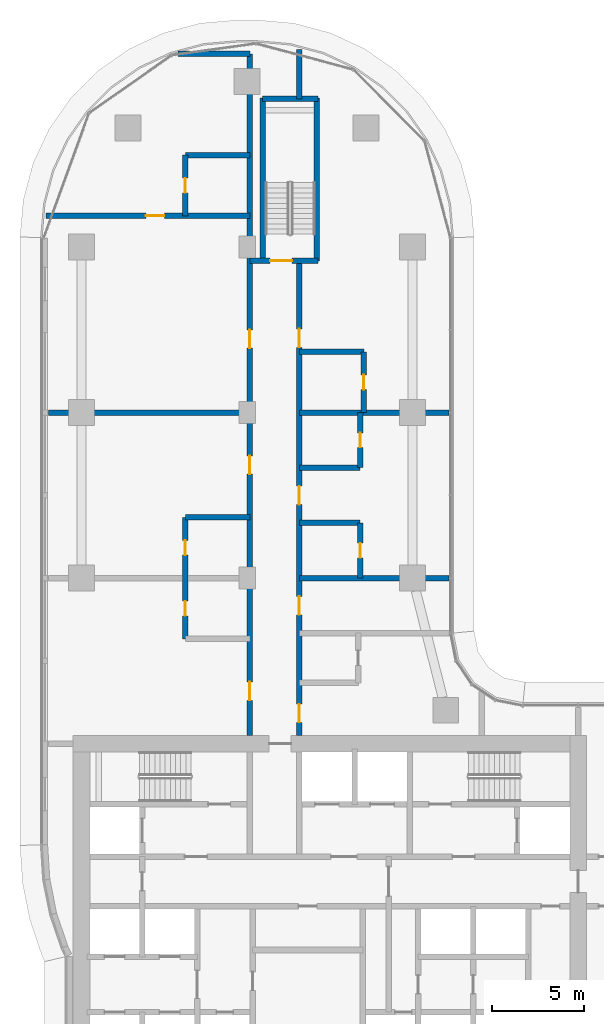
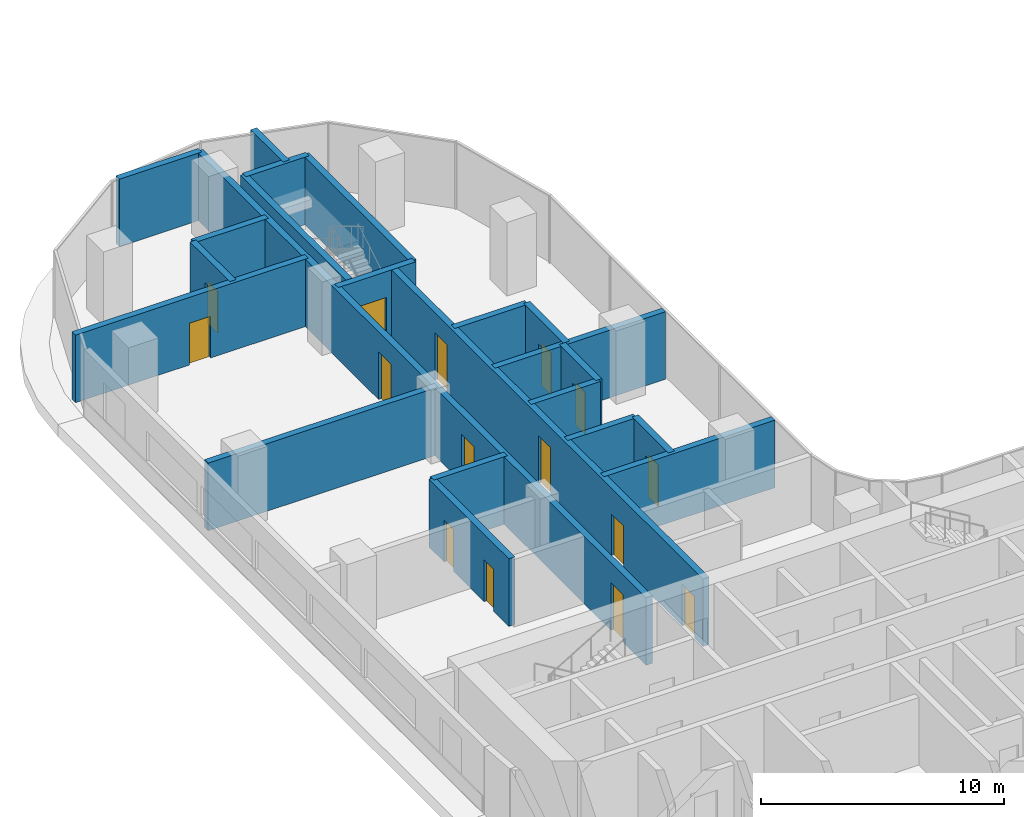
# One storey, part 21 of 36: 22 walls, 15 doors, 15 openings.
"""IFC4 building model written with IfcOpenShell, lengths in metres."""

from ifc_helpers import new_model, si_unit, direction, frame, frame_2d, origin, place, context, subcontext, project, spatial, rectangle, extrude, material, layer, layer_set, type_object, element, fill, save


model = new_model("IFC4")

# Units and contexts
model_context = context("Model", 3, precision=1e-05, world=origin(), true_north=direction((0.0, 1.0)))
body_context = subcontext(model_context, "Body", "Model", "MODEL_VIEW")
ifc_project = project(units=[si_unit("LENGTHUNIT", "METRE"), si_unit("AREAUNIT", "SQUARE_METRE"), si_unit("VOLUMEUNIT", "CUBIC_METRE"), si_unit("PLANEANGLEUNIT", "RADIAN"), si_unit("MASSUNIT", "GRAM", prefix="KILO")], contexts=[model_context])

# Site, building, storey
site_placement = place(None, origin())
site = spatial("IfcSite", under=ifc_project, at=site_placement, CompositionType="ELEMENT")
building_placement = place(site_placement, origin())
building = spatial("IfcBuilding", under=site, at=building_placement, Name="Ogive Portal Towers", CompositionType="ELEMENT")
storey_placement = place(building_placement, frame((0.0, 0.0, 52.0)))
storey = spatial("IfcBuildingStorey", under=building, at=storey_placement, Name="L11", CompositionType="ELEMENT", Elevation=52.0)

# Wall, opening, door
ifc_material_1 = material(Name="Concrete C50/60", Category="concrete")
ifc_layer_1 = layer(ifc_material_1, 0.300048828125)
ifc_layer_set_1 = layer_set([ifc_layer_1], Name="STAIR WALL 300 C50")
wall_type_1 = type_object("IfcWallType", Name="STAIR WALL 300 C50", PredefinedType="SHEAR", material=ifc_layer_set_1)
wall_1_placement = place(storey_placement, frame((40.64990234375, 65.75, 0.0), z_axis=(0.0, 0.0, 1.0), x_axis=(1.0, 0.0, 0.0)))
wall_1 = element("IfcWall", 1, at=wall_1_placement, inside=storey, type_object=wall_type_1, Name="Stair wall ST-A3 L11", PredefinedType="SHEAR", context=body_context, shape_type="SweptSolid", body=[
    extrude(rectangle(XDim=3.7001953125, YDim=0.300048828125, at=frame_2d((1.85009765625, 0.0))), origin(), (0.0, 0.0, 1.0), 3.39990234375),
])
opening_1_placement = place(wall_1_placement, frame((1.10009765625, 0.0, 0.0)))
opening_1 = element("IfcOpeningElement", 2, at=opening_1_placement, cuts=wall_1, Name="Opening D03-062", PredefinedType="OPENING", context=body_context, shape_type="SweptSolid", body=[
    extrude(rectangle(XDim=1.199951171875, YDim=2.10009765625, at=frame_2d((0.60009765625, 1.050048828125))), frame((0.0, 0.16015625, 0.0), z_axis=(0.0, -1.0, 0.0), x_axis=(1.0, 0.0, 0.0)), (0.0, 0.0, 1.0), 0.320068359375),
])
ifc_material_2 = material(Name="Steel fire door", Category="steel")
door_type_1 = type_object("IfcDoorType", Name="DT-STAIR-1200x2100-FD90S", OperationType="SINGLE_SWING_LEFT", PredefinedType="DOOR", material=ifc_material_2)
door_1_placement = place(opening_1_placement, origin())
door_1 = element("IfcDoor", 3, at=door_1_placement, inside=storey, type_object=door_type_1, Name="Door D03-062", OperationType="SINGLE_SWING_RIGHT", OverallHeight=2.10009765625, OverallWidth=1.199951171875, PredefinedType="DOOR", context=body_context, shape_type="SweptSolid", body=[
    extrude(rectangle(XDim=1.199951171875, YDim=2.10009765625, at=frame_2d((0.60009765625, 1.050048828125))), frame((0.0, 0.02490234375, 0.0), z_axis=(0.0, -1.0, 0.0), x_axis=(1.0, 0.0, 0.0)), (0.0, 0.0, 1.0), 0.050048828125),
])
fill(opening_1, door_1)

# Walls
wall_2_placement = place(storey_placement, frame((41.35009765625, 74.550048828125, 0.0), z_axis=(0.0, 0.0, 1.0), x_axis=(1.0, 0.0, 0.0)))
element("IfcWall", 4, at=wall_2_placement, inside=storey, type_object=wall_type_1, Name="Stair wall ST-A3 L11", PredefinedType="SHEAR", context=body_context, shape_type="SweptSolid", body=[
    extrude(rectangle(XDim=3.0, YDim=0.300048828125, at=frame_2d((1.5, 0.0))), origin(), (0.0, 0.0, 1.0), 3.39990234375),
])
for number, where, z_axis, x_axis, name in (
    (5, (41.35009765625, 65.75, 0.0), (0.0, 0.0, 1.0), (0.0, 1.0, 0.0), "Stair wall ST-A3 L11"),
    (6, (44.300048828125, 65.75, 0.0), (0.0, 0.0, 1.0), (0.0, 1.0, 0.0), "Stair wall ST-A3 L11"),
):
    element("IfcWall", number, at=place(storey_placement, frame(where, z_axis=z_axis, x_axis=x_axis)), inside=storey, type_object=wall_type_1, Name=name, PredefinedType="SHEAR", context=body_context, shape_type="SweptSolid", body=[
        extrude(rectangle(XDim=8.85009765625, YDim=0.300048828125, at=frame_2d((4.425048828125, 0.0))), origin(), (0.0, 0.0, 1.0), 3.39990234375),
    ])
ifc_material_3 = material(Name="Gypsum board partition on steel studs", Category="steel")
ifc_layer_2 = layer(ifc_material_3, 0.300048828125)
ifc_layer_set_2 = layer_set([ifc_layer_2], Name="WT-PART-300-EI 60")
wall_type_2 = type_object("IfcWallType", Name="WT-PART-300-EI 60", PredefinedType="PARTITIONING", material=ifc_layer_set_2)
wall_3_placement = place(storey_placement, frame((43.35009765625, 48.5, 0.0), z_axis=(0.0, 0.0, 1.0), x_axis=(1.0, 0.0, 0.0)))
element("IfcWall", 7, at=wall_3_placement, inside=storey, type_object=wall_type_2, Name="Wall L11:w019", PredefinedType="PARTITIONING", context=body_context, shape_type="SweptSolid", body=[
    extrude(rectangle(XDim=8.125, YDim=0.300048828125, at=frame_2d((4.0625, 0.0))), origin(), (0.0, 0.0, 1.0), 3.39990234375),
])
wall_4_placement = place(storey_placement, frame((43.35009765625, 51.5, 0.0), z_axis=(0.0, 0.0, 1.0), x_axis=(1.0, 0.0, 0.0)))
element("IfcWall", 8, at=wall_4_placement, inside=storey, type_object=wall_type_2, Name="Wall L11:w020", PredefinedType="PARTITIONING", context=body_context, shape_type="SweptSolid", body=[
    extrude(rectangle(XDim=3.2998046875, YDim=0.300048828125, at=frame_2d((1.64990234375, 0.0))), origin(), (0.0, 0.0, 1.0), 3.39990234375),
])
wall_5_placement = place(storey_placement, frame((37.14990234375, 51.800048828125, 0.0), z_axis=(0.0, 0.0, 1.0), x_axis=(1.0, 0.0, 0.0)))
element("IfcWall", 9, at=wall_5_placement, inside=storey, type_object=wall_type_2, Name="Wall L11:w021", PredefinedType="PARTITIONING", context=body_context, shape_type="SweptSolid", body=[
    extrude(rectangle(XDim=3.5, YDim=0.300048828125, at=frame_2d((1.75, 0.0))), origin(), (0.0, 0.0, 1.0), 3.39990234375),
])
wall_6_placement = place(storey_placement, frame((43.35009765625, 54.5, 0.0), z_axis=(0.0, 0.0, 1.0), x_axis=(1.0, 0.0, 0.0)))
element("IfcWall", 10, at=wall_6_placement, inside=storey, type_object=wall_type_2, Name="Wall L11:w022", PredefinedType="PARTITIONING", context=body_context, shape_type="SweptSolid", body=[
    extrude(rectangle(XDim=3.2998046875, YDim=0.300048828125, at=frame_2d((1.64990234375, 0.0))), origin(), (0.0, 0.0, 1.0), 3.39990234375),
])
wall_7_placement = place(storey_placement, frame((29.705078125, 57.5, 0.0), z_axis=(0.0, 0.0, 1.0), x_axis=(1.0, 0.0, 0.0)))
element("IfcWall", 11, at=wall_7_placement, inside=storey, type_object=wall_type_2, Name="Wall L11:w023", PredefinedType="PARTITIONING", context=body_context, shape_type="SweptSolid", body=[
    extrude(rectangle(XDim=10.94482421875, YDim=0.300048828125, at=frame_2d((5.472412109375, 0.0))), origin(), (0.0, 0.0, 1.0), 3.39990234375),
])
wall_8_placement = place(storey_placement, frame((43.35009765625, 57.5, 0.0), z_axis=(0.0, 0.0, 1.0), x_axis=(1.0, 0.0, 0.0)))
element("IfcWall", 12, at=wall_8_placement, inside=storey, type_object=wall_type_2, Name="Wall L11:w024", PredefinedType="PARTITIONING", context=body_context, shape_type="SweptSolid", body=[
    extrude(rectangle(XDim=8.125, YDim=0.300048828125, at=frame_2d((4.0625, 0.0))), origin(), (0.0, 0.0, 1.0), 3.39990234375),
])
wall_9_placement = place(storey_placement, frame((43.35009765625, 60.800048828125, 0.0), z_axis=(0.0, 0.0, 1.0), x_axis=(1.0, 0.0, 0.0)))
element("IfcWall", 13, at=wall_9_placement, inside=storey, type_object=wall_type_2, Name="Wall L11:w025", PredefinedType="PARTITIONING", context=body_context, shape_type="SweptSolid", body=[
    extrude(rectangle(XDim=3.5, YDim=0.300048828125, at=frame_2d((1.75, 0.0))), origin(), (0.0, 0.0, 1.0), 3.39990234375),
])

# Wall, opening, door
wall_10_placement = place(storey_placement, frame((29.570068359375, 68.199951171875, 0.0), z_axis=(0.0, 0.0, 1.0), x_axis=(1.0, 0.0, 0.0)))
wall_10 = element("IfcWall", 14, at=wall_10_placement, inside=storey, type_object=wall_type_2, Name="Wall L11:w027", PredefinedType="PARTITIONING", context=body_context, shape_type="SweptSolid", body=[
    extrude(rectangle(XDim=11.079833984375, YDim=0.300048828125, at=frame_2d((5.5400390625, 0.0))), origin(), (0.0, 0.0, 1.0), 3.39990234375),
])
opening_2_placement = place(wall_10_placement, frame((5.429931640625, 0.0, 0.0)))
opening_2 = element("IfcOpeningElement", 15, at=opening_2_placement, cuts=wall_10, Name="Opening D03-056", PredefinedType="OPENING", context=body_context, shape_type="SweptSolid", body=[
    extrude(rectangle(XDim=1.0, YDim=2.10009765625, at=frame_2d((0.5, 1.050048828125))), frame((0.0, 0.16015625, 0.0), z_axis=(0.0, -1.0, 0.0), x_axis=(1.0, 0.0, 0.0)), (0.0, 0.0, 1.0), 0.320068359375),
])
door_type_2 = type_object("IfcDoorType", Name="DT-ENTRY-1000x2100-FD60S", OperationType="SINGLE_SWING_LEFT", PredefinedType="DOOR", material=ifc_material_2)
door_2_placement = place(opening_2_placement, origin())
door_2 = element("IfcDoor", 16, at=door_2_placement, inside=storey, type_object=door_type_2, Name="Door D03-056", OperationType="SINGLE_SWING_LEFT", OverallHeight=2.10009765625, OverallWidth=1.0, PredefinedType="DOOR", context=body_context, shape_type="SweptSolid", body=[
    extrude(rectangle(XDim=1.0, YDim=2.10009765625, at=frame_2d((0.5, 1.050048828125))), frame((0.0, 0.02490234375, 0.0), z_axis=(0.0, -1.0, 0.0), x_axis=(1.0, 0.0, 0.0)), (0.0, 0.0, 1.0), 0.050048828125),
])
fill(opening_2, door_2)

# Walls
wall_11_placement = place(storey_placement, frame((37.14990234375, 71.5, 0.0), z_axis=(0.0, 0.0, 1.0), x_axis=(1.0, 0.0, 0.0)))
element("IfcWall", 17, at=wall_11_placement, inside=storey, type_object=wall_type_2, Name="Wall L11:w028", PredefinedType="PARTITIONING", context=body_context, shape_type="SweptSolid", body=[
    extrude(rectangle(XDim=3.5, YDim=0.300048828125, at=frame_2d((1.75, 0.0))), origin(), (0.0, 0.0, 1.0), 3.39990234375),
])
wall_12_placement = place(storey_placement, frame((36.743896484375, 77.0, 0.0), z_axis=(0.0, 0.0, 1.0), x_axis=(1.0, 0.0, 0.0)))
element("IfcWall", 18, at=wall_12_placement, inside=storey, type_object=wall_type_2, Name="Wall L11:w030", PredefinedType="PARTITIONING", context=body_context, shape_type="SweptSolid", body=[
    extrude(rectangle(XDim=3.906005859375, YDim=0.300048828125, at=frame_2d((1.953125, 0.0))), origin(), (0.0, 0.0, 1.0), 3.39990234375),
])

# Wall, openings, doors
wall_13_placement = place(storey_placement, frame((37.14990234375, 45.199951171875, 0.0), z_axis=(0.0, 0.0, 1.0), x_axis=(0.0, 1.0, 0.0)))
wall_13 = element("IfcWall", 19, at=wall_13_placement, inside=storey, type_object=wall_type_2, Name="Wall L11:w031", PredefinedType="PARTITIONING", context=body_context, shape_type="SweptSolid", body=[
    extrude(rectangle(XDim=6.60009765625, YDim=0.300048828125, at=frame_2d((3.300048828125, 0.0))), origin(), (0.0, 0.0, 1.0), 3.39990234375),
])
opening_3_placement = place(wall_13_placement, frame((1.25, 0.0, 0.0)))
opening_3 = element("IfcOpeningElement", 20, at=opening_3_placement, cuts=wall_13, Name="Opening D03-046", PredefinedType="OPENING", context=body_context, shape_type="SweptSolid", body=[
    extrude(rectangle(XDim=0.800048828125, YDim=2.10009765625, at=frame_2d((0.39990234375, 1.050048828125))), frame((0.0, 0.16015625, 0.0), z_axis=(0.0, -1.0, 0.0), x_axis=(1.0, 0.0, 0.0)), (0.0, 0.0, 1.0), 0.320068359375),
])
opening_4_placement = place(wall_13_placement, frame((4.550048828125, 0.0, 0.0)))
opening_4 = element("IfcOpeningElement", 21, at=opening_4_placement, cuts=wall_13, Name="Opening D03-051", PredefinedType="OPENING", context=body_context, shape_type="SweptSolid", body=[
    extrude(rectangle(XDim=0.800048828125, YDim=2.10009765625, at=frame_2d((0.39990234375, 1.050048828125))), frame((0.0, 0.16015625, 0.0), z_axis=(0.0, -1.0, 0.0), x_axis=(1.0, 0.0, 0.0)), (0.0, 0.0, 1.0), 0.320068359375),
])
door_type_3 = type_object("IfcDoorType", Name="DT-BATH-800x2100-FD60S", OperationType="SINGLE_SWING_LEFT", PredefinedType="DOOR", material=ifc_material_2)
door_3_placement = place(opening_3_placement, origin())
door_3 = element("IfcDoor", 22, at=door_3_placement, inside=storey, type_object=door_type_3, Name="Door D03-046", OperationType="SINGLE_SWING_LEFT", OverallHeight=2.10009765625, OverallWidth=0.800048828125, PredefinedType="DOOR", context=body_context, shape_type="SweptSolid", body=[
    extrude(rectangle(XDim=0.800048828125, YDim=2.10009765625, at=frame_2d((0.39990234375, 1.050048828125))), frame((0.0, 0.02490234375, 0.0), z_axis=(0.0, -1.0, 0.0), x_axis=(1.0, 0.0, 0.0)), (0.0, 0.0, 1.0), 0.050048828125),
])
fill(opening_3, door_3)
door_4_placement = place(opening_4_placement, origin())
door_4 = element("IfcDoor", 23, at=door_4_placement, inside=storey, type_object=door_type_3, Name="Door D03-051", OperationType="SINGLE_SWING_RIGHT", OverallHeight=2.10009765625, OverallWidth=0.800048828125, PredefinedType="DOOR", context=body_context, shape_type="SweptSolid", body=[
    extrude(rectangle(XDim=0.800048828125, YDim=2.10009765625, at=frame_2d((0.39990234375, 1.050048828125))), frame((0.0, 0.02490234375, 0.0), z_axis=(0.0, -1.0, 0.0), x_axis=(1.0, 0.0, 0.0)), (0.0, 0.0, 1.0), 0.050048828125),
])
fill(opening_4, door_4)

# Wall, opening, door
wall_14_placement = place(storey_placement, frame((37.14990234375, 68.199951171875, 0.0), z_axis=(0.0, 0.0, 1.0), x_axis=(0.0, 1.0, 0.0)))
wall_14 = element("IfcWall", 24, at=wall_14_placement, inside=storey, type_object=wall_type_2, Name="Wall L11:w032", PredefinedType="PARTITIONING", context=body_context, shape_type="SweptSolid", body=[
    extrude(rectangle(XDim=3.300048828125, YDim=0.300048828125, at=frame_2d((1.64990234375, 0.0))), origin(), (0.0, 0.0, 1.0), 3.39990234375),
])
opening_5_placement = place(wall_14_placement, frame((1.25, 0.0, 0.0)))
opening_5 = element("IfcOpeningElement", 25, at=opening_5_placement, cuts=wall_14, Name="Opening D03-057", PredefinedType="OPENING", context=body_context, shape_type="SweptSolid", body=[
    extrude(rectangle(XDim=0.800048828125, YDim=2.10009765625, at=frame_2d((0.39990234375, 1.050048828125))), frame((0.0, 0.16015625, 0.0), z_axis=(0.0, -1.0, 0.0), x_axis=(1.0, 0.0, 0.0)), (0.0, 0.0, 1.0), 0.320068359375),
])
door_5_placement = place(opening_5_placement, origin())
door_5 = element("IfcDoor", 26, at=door_5_placement, inside=storey, type_object=door_type_3, Name="Door D03-057", OperationType="SINGLE_SWING_LEFT", OverallHeight=2.10009765625, OverallWidth=0.800048828125, PredefinedType="DOOR", context=body_context, shape_type="SweptSolid", body=[
    extrude(rectangle(XDim=0.800048828125, YDim=2.10009765625, at=frame_2d((0.39990234375, 1.050048828125))), frame((0.0, 0.02490234375, 0.0), z_axis=(0.0, -1.0, 0.0), x_axis=(1.0, 0.0, 0.0)), (0.0, 0.0, 1.0), 0.050048828125),
])
fill(opening_5, door_5)

# Wall, openings, doors
wall_15_placement = place(storey_placement, frame((40.64990234375, 39.949951171875, 0.0), z_axis=(0.0, 0.0, 1.0), x_axis=(0.0, 1.0, 0.0)))
wall_15 = element("IfcWall", 27, at=wall_15_placement, inside=storey, type_object=wall_type_2, Name="Wall L11:w033", PredefinedType="PARTITIONING", context=body_context, shape_type="SweptSolid", body=[
    extrude(rectangle(XDim=37.050048828125, YDim=0.300048828125, at=frame_2d((18.52490234375, 0.0))), origin(), (0.0, 0.0, 1.0), 3.39990234375),
])
opening_6_placement = place(wall_15_placement, frame((1.89990234375, 0.0, 0.0)))
opening_6 = element("IfcOpeningElement", 28, at=opening_6_placement, cuts=wall_15, Name="Opening D03-047", PredefinedType="OPENING", context=body_context, shape_type="SweptSolid", body=[
    extrude(rectangle(XDim=1.0, YDim=2.39990234375, at=frame_2d((0.5, 1.199951171875))), frame((0.0, 0.16015625, 0.0), z_axis=(0.0, -1.0, 0.0), x_axis=(1.0, 0.0, 0.0)), (0.0, 0.0, 1.0), 0.320068359375),
])
opening_7_placement = place(wall_15_placement, frame((14.199951171875, 0.0, 0.0)))
opening_7 = element("IfcOpeningElement", 29, at=opening_7_placement, cuts=wall_15, Name="Opening D03-052", PredefinedType="OPENING", context=body_context, shape_type="SweptSolid", body=[
    extrude(rectangle(XDim=1.0, YDim=2.39990234375, at=frame_2d((0.5, 1.199951171875))), frame((0.0, 0.16015625, 0.0), z_axis=(0.0, -1.0, 0.0), x_axis=(1.0, 0.0, 0.0)), (0.0, 0.0, 1.0), 0.320068359375),
])
opening_8_placement = place(wall_15_placement, frame((21.050048828125, 0.0, 0.0)))
opening_8 = element("IfcOpeningElement", 30, at=opening_8_placement, cuts=wall_15, Name="Opening D03-055", PredefinedType="OPENING", context=body_context, shape_type="SweptSolid", body=[
    extrude(rectangle(XDim=1.0, YDim=2.39990234375, at=frame_2d((0.5, 1.199951171875))), frame((0.0, 0.16015625, 0.0), z_axis=(0.0, -1.0, 0.0), x_axis=(1.0, 0.0, 0.0)), (0.0, 0.0, 1.0), 0.320068359375),
])
door_type_4 = type_object("IfcDoorType", Name="DT-ENTRY-1000x2400-FD60S", OperationType="SINGLE_SWING_LEFT", PredefinedType="DOOR", material=ifc_material_2)
door_6_placement = place(opening_6_placement, origin())
door_6 = element("IfcDoor", 31, at=door_6_placement, inside=storey, type_object=door_type_4, Name="Door D03-047", OperationType="SINGLE_SWING_RIGHT", OverallHeight=2.39990234375, OverallWidth=1.0, PredefinedType="DOOR", context=body_context, shape_type="SweptSolid", body=[
    extrude(rectangle(XDim=1.0, YDim=2.39990234375, at=frame_2d((0.5, 1.199951171875))), frame((0.0, 0.02490234375, 0.0), z_axis=(0.0, -1.0, 0.0), x_axis=(1.0, 0.0, 0.0)), (0.0, 0.0, 1.0), 0.050048828125),
])
fill(opening_6, door_6)
door_7_placement = place(opening_7_placement, origin())
door_7 = element("IfcDoor", 32, at=door_7_placement, inside=storey, type_object=door_type_4, Name="Door D03-052", OperationType="SINGLE_SWING_LEFT", OverallHeight=2.39990234375, OverallWidth=1.0, PredefinedType="DOOR", context=body_context, shape_type="SweptSolid", body=[
    extrude(rectangle(XDim=1.0, YDim=2.39990234375, at=frame_2d((0.5, 1.199951171875))), frame((0.0, 0.02490234375, 0.0), z_axis=(0.0, -1.0, 0.0), x_axis=(1.0, 0.0, 0.0)), (0.0, 0.0, 1.0), 0.050048828125),
])
fill(opening_7, door_7)
door_8_placement = place(opening_8_placement, origin())
door_8 = element("IfcDoor", 33, at=door_8_placement, inside=storey, type_object=door_type_4, Name="Door D03-055", OperationType="SINGLE_SWING_RIGHT", OverallHeight=2.39990234375, OverallWidth=1.0, PredefinedType="DOOR", context=body_context, shape_type="SweptSolid", body=[
    extrude(rectangle(XDim=1.0, YDim=2.39990234375, at=frame_2d((0.5, 1.199951171875))), frame((0.0, 0.02490234375, 0.0), z_axis=(0.0, -1.0, 0.0), x_axis=(1.0, 0.0, 0.0)), (0.0, 0.0, 1.0), 0.050048828125),
])
fill(opening_8, door_8)

# Wall, opening, door
wall_16_placement = place(storey_placement, frame((46.64990234375, 48.5, 0.0), z_axis=(0.0, 0.0, 1.0), x_axis=(0.0, 1.0, 0.0)))
wall_16 = element("IfcWall", 34, at=wall_16_placement, inside=storey, type_object=wall_type_2, Name="Wall L11:w039", PredefinedType="PARTITIONING", context=body_context, shape_type="SweptSolid", body=[
    extrude(rectangle(XDim=3.0, YDim=0.300048828125, at=frame_2d((1.5, 0.0))), origin(), (0.0, 0.0, 1.0), 3.39990234375),
])
opening_9_placement = place(wall_16_placement, frame((1.10009765625, 0.0, 0.0)))
opening_9 = element("IfcOpeningElement", 35, at=opening_9_placement, cuts=wall_16, Name="Opening D03-048", PredefinedType="OPENING", context=body_context, shape_type="SweptSolid", body=[
    extrude(rectangle(XDim=0.800048828125, YDim=2.10009765625, at=frame_2d((0.39990234375, 1.050048828125))), frame((0.0, 0.16015625, 0.0), z_axis=(0.0, -1.0, 0.0), x_axis=(1.0, 0.0, 0.0)), (0.0, 0.0, 1.0), 0.320068359375),
])
door_9_placement = place(opening_9_placement, origin())
door_9 = element("IfcDoor", 36, at=door_9_placement, inside=storey, type_object=door_type_3, Name="Door D03-048", OperationType="SINGLE_SWING_RIGHT", OverallHeight=2.10009765625, OverallWidth=0.800048828125, PredefinedType="DOOR", context=body_context, shape_type="SweptSolid", body=[
    extrude(rectangle(XDim=0.800048828125, YDim=2.10009765625, at=frame_2d((0.39990234375, 1.050048828125))), frame((0.0, 0.02490234375, 0.0), z_axis=(0.0, -1.0, 0.0), x_axis=(1.0, 0.0, 0.0)), (0.0, 0.0, 1.0), 0.050048828125),
])
fill(opening_9, door_9)

wall_17_placement = place(storey_placement, frame((46.64990234375, 54.5, 0.0), z_axis=(0.0, 0.0, 1.0), x_axis=(0.0, 1.0, 0.0)))
wall_17 = element("IfcWall", 37, at=wall_17_placement, inside=storey, type_object=wall_type_2, Name="Wall L11:w040", PredefinedType="PARTITIONING", context=body_context, shape_type="SweptSolid", body=[
    extrude(rectangle(XDim=3.0, YDim=0.300048828125, at=frame_2d((1.5, 0.0))), origin(), (0.0, 0.0, 1.0), 3.39990234375),
])
opening_10_placement = place(wall_17_placement, frame((1.10009765625, 0.0, 0.0)))
opening_10 = element("IfcOpeningElement", 38, at=opening_10_placement, cuts=wall_17, Name="Opening D03-049", PredefinedType="OPENING", context=body_context, shape_type="SweptSolid", body=[
    extrude(rectangle(XDim=0.800048828125, YDim=2.10009765625, at=frame_2d((0.39990234375, 1.050048828125))), frame((0.0, 0.16015625, 0.0), z_axis=(0.0, -1.0, 0.0), x_axis=(1.0, 0.0, 0.0)), (0.0, 0.0, 1.0), 0.320068359375),
])
door_10_placement = place(opening_10_placement, origin())
door_10 = element("IfcDoor", 39, at=door_10_placement, inside=storey, type_object=door_type_3, Name="Door D03-049", OperationType="SINGLE_SWING_LEFT", OverallHeight=2.10009765625, OverallWidth=0.800048828125, PredefinedType="DOOR", context=body_context, shape_type="SweptSolid", body=[
    extrude(rectangle(XDim=0.800048828125, YDim=2.10009765625, at=frame_2d((0.39990234375, 1.050048828125))), frame((0.0, 0.02490234375, 0.0), z_axis=(0.0, -1.0, 0.0), x_axis=(1.0, 0.0, 0.0)), (0.0, 0.0, 1.0), 0.050048828125),
])
fill(opening_10, door_10)

wall_18_placement = place(storey_placement, frame((46.85009765625, 57.5, 0.0), z_axis=(0.0, 0.0, 1.0), x_axis=(0.0, 1.0, 0.0)))
wall_18 = element("IfcWall", 40, at=wall_18_placement, inside=storey, type_object=wall_type_2, Name="Wall L11:w041", PredefinedType="PARTITIONING", context=body_context, shape_type="SweptSolid", body=[
    extrude(rectangle(XDim=3.300048828125, YDim=0.300048828125, at=frame_2d((1.64990234375, 0.0))), origin(), (0.0, 0.0, 1.0), 3.39990234375),
])
opening_11_placement = place(wall_18_placement, frame((1.25, 0.0, 0.0)))
opening_11 = element("IfcOpeningElement", 41, at=opening_11_placement, cuts=wall_18, Name="Opening D03-053", PredefinedType="OPENING", context=body_context, shape_type="SweptSolid", body=[
    extrude(rectangle(XDim=0.800048828125, YDim=2.10009765625, at=frame_2d((0.39990234375, 1.050048828125))), frame((0.0, 0.16015625, 0.0), z_axis=(0.0, -1.0, 0.0), x_axis=(1.0, 0.0, 0.0)), (0.0, 0.0, 1.0), 0.320068359375),
])
door_11_placement = place(opening_11_placement, origin())
door_11 = element("IfcDoor", 42, at=door_11_placement, inside=storey, type_object=door_type_3, Name="Door D03-053", OperationType="SINGLE_SWING_LEFT", OverallHeight=2.10009765625, OverallWidth=0.800048828125, PredefinedType="DOOR", context=body_context, shape_type="SweptSolid", body=[
    extrude(rectangle(XDim=0.800048828125, YDim=2.10009765625, at=frame_2d((0.39990234375, 1.050048828125))), frame((0.0, 0.02490234375, 0.0), z_axis=(0.0, -1.0, 0.0), x_axis=(1.0, 0.0, 0.0)), (0.0, 0.0, 1.0), 0.050048828125),
])
fill(opening_11, door_11)

# Wall, openings, doors
ifc_material_4 = material(Name="Concrete C40/50", Category="concrete")
ifc_layer_3 = layer(ifc_material_4, 0.300048828125)
ifc_layer_set_3 = layer_set([ifc_layer_3], Name="WT-SHAFT-300")
wall_type_3 = type_object("IfcWallType", Name="WT-SHAFT-300", PredefinedType="SOLIDWALL", material=ifc_layer_set_3)
wall_19_placement = place(storey_placement, frame((43.35009765625, 39.949951171875, 0.0), z_axis=(0.0, 0.0, 1.0), x_axis=(0.0, 1.0, 0.0)))
wall_19 = element("IfcWall", 43, at=wall_19_placement, inside=storey, type_object=wall_type_3, Name="Wall L11:w035", PredefinedType="SOLIDWALL", context=body_context, shape_type="SweptSolid", body=[
    extrude(rectangle(XDim=25.85009765625, YDim=0.300048828125, at=frame_2d((12.925048828125, 0.0))), origin(), (0.0, 0.0, 1.0), 3.39990234375),
])
opening_12_placement = place(wall_19_placement, frame((0.699951171875, 0.0, 0.0)))
opening_12 = element("IfcOpeningElement", 44, at=opening_12_placement, cuts=wall_19, Name="Opening D03-044", PredefinedType="OPENING", context=body_context, shape_type="SweptSolid", body=[
    extrude(rectangle(XDim=1.0, YDim=2.10009765625, at=frame_2d((0.5, 1.050048828125))), frame((0.0, 0.16015625, 0.0), z_axis=(0.0, -1.0, 0.0), x_axis=(1.0, 0.0, 0.0)), (0.0, 0.0, 1.0), 0.320068359375),
])
opening_13_placement = place(wall_19_placement, frame((6.550048828125, 0.0, 0.0)))
opening_13 = element("IfcOpeningElement", 45, at=opening_13_placement, cuts=wall_19, Name="Opening D03-045", PredefinedType="OPENING", context=body_context, shape_type="SweptSolid", body=[
    extrude(rectangle(XDim=1.0, YDim=2.10009765625, at=frame_2d((0.5, 1.050048828125))), frame((0.0, 0.16015625, 0.0), z_axis=(0.0, -1.0, 0.0), x_axis=(1.0, 0.0, 0.0)), (0.0, 0.0, 1.0), 0.320068359375),
])
opening_14_placement = place(wall_19_placement, frame((12.550048828125, 0.0, 0.0)))
opening_14 = element("IfcOpeningElement", 46, at=opening_14_placement, cuts=wall_19, Name="Opening D03-050", PredefinedType="OPENING", context=body_context, shape_type="SweptSolid", body=[
    extrude(rectangle(XDim=1.0, YDim=2.39990234375, at=frame_2d((0.5, 1.199951171875))), frame((0.0, 0.16015625, 0.0), z_axis=(0.0, -1.0, 0.0), x_axis=(1.0, 0.0, 0.0)), (0.0, 0.0, 1.0), 0.320068359375),
])
opening_15_placement = place(wall_19_placement, frame((21.10009765625, 0.0, 0.0)))
opening_15 = element("IfcOpeningElement", 47, at=opening_15_placement, cuts=wall_19, Name="Opening D03-054", PredefinedType="OPENING", context=body_context, shape_type="SweptSolid", body=[
    extrude(rectangle(XDim=1.0, YDim=2.39990234375, at=frame_2d((0.5, 1.199951171875))), frame((0.0, 0.16015625, 0.0), z_axis=(0.0, -1.0, 0.0), x_axis=(1.0, 0.0, 0.0)), (0.0, 0.0, 1.0), 0.320068359375),
])
door_type_5 = type_object("IfcDoorType", Name="DT-ENTRY-1000x2100-FD90S", OperationType="SINGLE_SWING_LEFT", PredefinedType="DOOR", material=ifc_material_2)
door_12_placement = place(opening_12_placement, origin())
door_12 = element("IfcDoor", 48, at=door_12_placement, inside=storey, type_object=door_type_5, Name="Door D03-044", OperationType="SINGLE_SWING_RIGHT", OverallHeight=2.10009765625, OverallWidth=1.0, PredefinedType="DOOR", context=body_context, shape_type="SweptSolid", body=[
    extrude(rectangle(XDim=1.0, YDim=2.10009765625, at=frame_2d((0.5, 1.050048828125))), frame((0.0, 0.02490234375, 0.0), z_axis=(0.0, -1.0, 0.0), x_axis=(1.0, 0.0, 0.0)), (0.0, 0.0, 1.0), 0.050048828125),
])
fill(opening_12, door_12)
door_13_placement = place(opening_13_placement, origin())
door_13 = element("IfcDoor", 49, at=door_13_placement, inside=storey, type_object=door_type_5, Name="Door D03-045", OperationType="SINGLE_SWING_LEFT", OverallHeight=2.10009765625, OverallWidth=1.0, PredefinedType="DOOR", context=body_context, shape_type="SweptSolid", body=[
    extrude(rectangle(XDim=1.0, YDim=2.10009765625, at=frame_2d((0.5, 1.050048828125))), frame((0.0, 0.02490234375, 0.0), z_axis=(0.0, -1.0, 0.0), x_axis=(1.0, 0.0, 0.0)), (0.0, 0.0, 1.0), 0.050048828125),
])
fill(opening_13, door_13)
door_type_6 = type_object("IfcDoorType", Name="DT-ENTRY-1000x2400-FD90S", OperationType="SINGLE_SWING_LEFT", PredefinedType="DOOR", material=ifc_material_2)
door_14_placement = place(opening_14_placement, origin())
door_14 = element("IfcDoor", 50, at=door_14_placement, inside=storey, type_object=door_type_6, Name="Door D03-050", OperationType="SINGLE_SWING_LEFT", OverallHeight=2.39990234375, OverallWidth=1.0, PredefinedType="DOOR", context=body_context, shape_type="SweptSolid", body=[
    extrude(rectangle(XDim=1.0, YDim=2.39990234375, at=frame_2d((0.5, 1.199951171875))), frame((0.0, 0.02490234375, 0.0), z_axis=(0.0, -1.0, 0.0), x_axis=(1.0, 0.0, 0.0)), (0.0, 0.0, 1.0), 0.050048828125),
])
fill(opening_14, door_14)
door_15_placement = place(opening_15_placement, origin())
door_15 = element("IfcDoor", 51, at=door_15_placement, inside=storey, type_object=door_type_6, Name="Door D03-054", OperationType="SINGLE_SWING_LEFT", OverallHeight=2.39990234375, OverallWidth=1.0, PredefinedType="DOOR", context=body_context, shape_type="SweptSolid", body=[
    extrude(rectangle(XDim=1.0, YDim=2.39990234375, at=frame_2d((0.5, 1.199951171875))), frame((0.0, 0.02490234375, 0.0), z_axis=(0.0, -1.0, 0.0), x_axis=(1.0, 0.0, 0.0)), (0.0, 0.0, 1.0), 0.050048828125),
])
fill(opening_15, door_15)

# Wall
wall_20_placement = place(storey_placement, frame((43.35009765625, 74.550048828125, 0.0), z_axis=(0.0, 0.0, 1.0), x_axis=(0.0, 1.0, 0.0)))
element("IfcWall", 52, at=wall_20_placement, inside=storey, type_object=wall_type_3, Name="Wall L11:w036", PredefinedType="SOLIDWALL", context=body_context, shape_type="SweptSolid", body=[
    extrude(rectangle(XDim=2.68505859375, YDim=0.300048828125, at=frame_2d((1.342529296875, 0.0))), origin(), (0.0, 0.0, 1.0), 3.39990234375),
])

save(model, "model.ifc")
